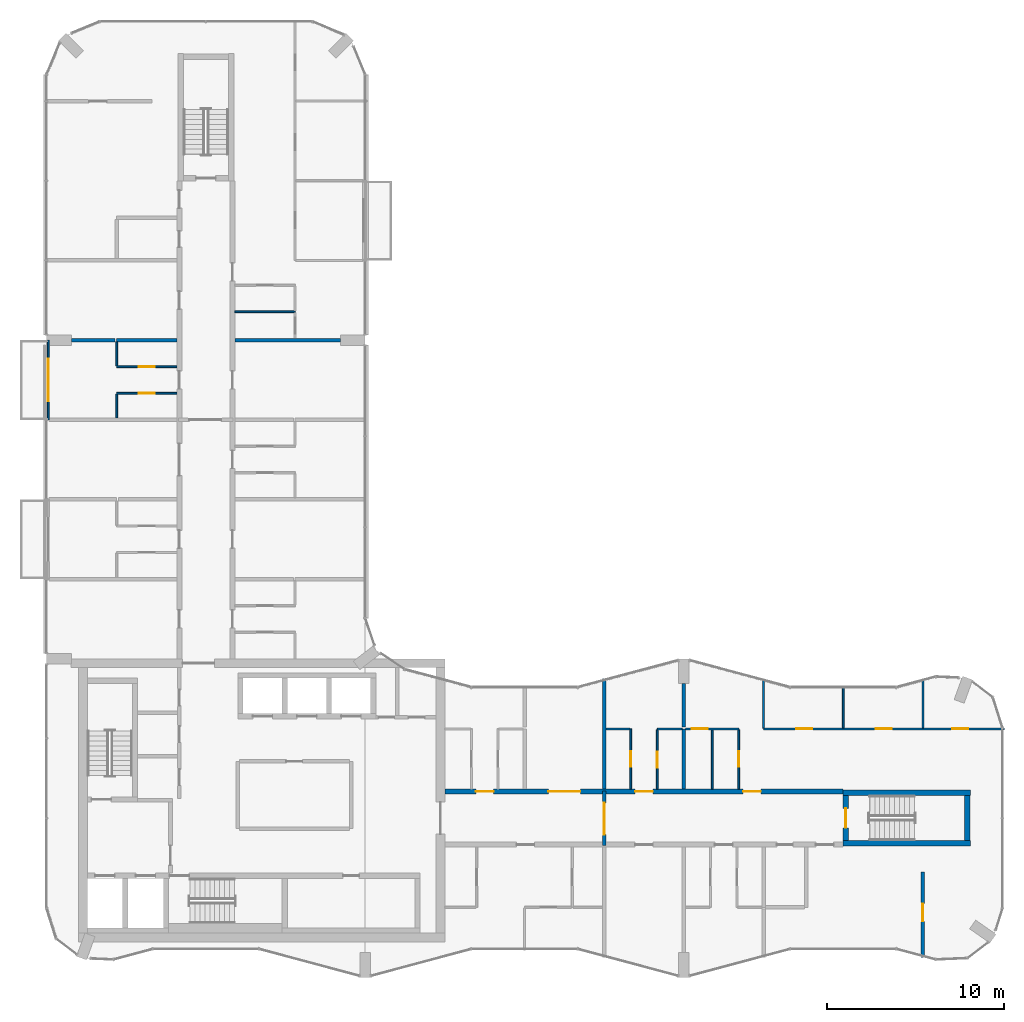
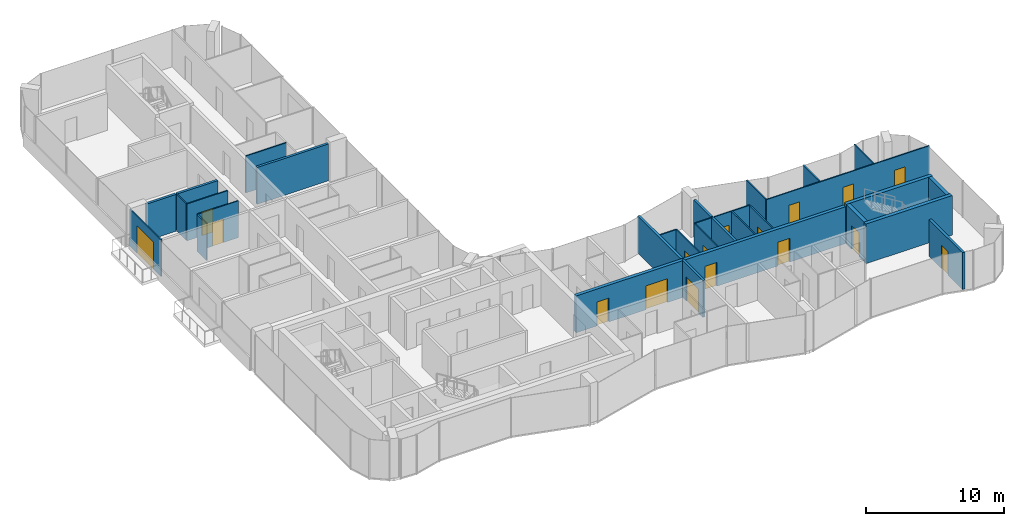
# One storey, part 12 of 16: 30 walls, 17 doors, 17 openings.
"""IFC4 building model written with IfcOpenShell, lengths in metres."""

from ifc_helpers import new_model, si_unit, direction, frame, frame_2d, origin, place, context, subcontext, project, spatial, rectangle, extrude, material, layer, layer_set, type_object, element, fill, save


model = new_model("IFC4")

# Units and contexts
model_context = context("Model", 3, precision=1e-05, world=origin(), true_north=direction((0.0, 1.0)))
body_context = subcontext(model_context, "Body", "Model", "MODEL_VIEW")
ifc_project = project(units=[si_unit("LENGTHUNIT", "METRE"), si_unit("AREAUNIT", "SQUARE_METRE"), si_unit("VOLUMEUNIT", "CUBIC_METRE"), si_unit("PLANEANGLEUNIT", "RADIAN"), si_unit("MASSUNIT", "GRAM", prefix="KILO")], contexts=[model_context])

# Site, building, storey
site_placement = place(None, origin())
site = spatial("IfcSite", under=ifc_project, at=site_placement, CompositionType="ELEMENT")
building_placement = place(site_placement, origin())
building = spatial("IfcBuilding", under=site, at=building_placement, Name="Plateau Cross Towers", CompositionType="ELEMENT")
storey_placement = place(building_placement, frame((0.0, 0.0, 218.89990234375)))
storey = spatial("IfcBuildingStorey", under=building, at=storey_placement, Name="L57", CompositionType="ELEMENT", Elevation=218.89990234375)

# Wall, opening, door
ifc_material_1 = material(Name="Aluminium framed glazing", Category="aluminium")
ifc_layer_1 = layer(ifc_material_1, 0.10009765625)
ifc_layer_set_1 = layer_set([ifc_layer_1], Name="Aluminium framed glazing")
wall_type_1 = type_object("IfcWallType", Name="Balcony screen wall 100", PredefinedType="STANDARD", material=ifc_layer_set_1)
wall_1_placement = place(storey_placement, frame((0.10009765625, 31.5, 0.0), z_axis=(0.0, 0.0, 1.0), x_axis=(0.0, 1.0, 0.0)))
wall_1 = element("IfcWall", 1, at=wall_1_placement, inside=storey, type_object=wall_type_1, Name="Balcony screen wall A-BAL-L57-02", PredefinedType="STANDARD", context=body_context, shape_type="SweptSolid", body=[
    extrude(rectangle(XDim=4.5, YDim=0.10009765625, at=frame_2d((2.25, 0.0))), origin(), (0.0, 0.0, 1.0), 3.25),
])
opening_1_placement = place(wall_1_placement, frame((1.050048828125, 0.0, 0.0)))
opening_1 = element("IfcOpeningElement", 2, at=opening_1_placement, cuts=wall_1, Name="Opening D-B24", PredefinedType="OPENING", context=body_context, shape_type="SweptSolid", body=[
    extrude(rectangle(XDim=2.39990234375, YDim=2.39990234375, at=frame_2d((1.199951171875, 1.199951171875))), frame((0.0, 0.06005859375, 0.0), z_axis=(0.0, -1.0, 0.0), x_axis=(1.0, 0.0, 0.0)), (0.0, 0.0, 1.0), 0.1201171875),
])
ifc_material_2 = material(Name="Aluminium frame, double glazing", Category="aluminium")
door_type_1 = type_object("IfcDoorType", Name="Balcony sliding door 2400", OperationType="NOTDEFINED", PredefinedType="DOOR", material=ifc_material_2)
door_1_placement = place(opening_1_placement, origin())
door_1 = element("IfcDoor", 3, at=door_1_placement, inside=storey, type_object=door_type_1, Name="Balcony door A-BAL-L57-02", OperationType="SINGLE_SWING_LEFT", OverallHeight=2.39990234375, OverallWidth=2.39990234375, PredefinedType="DOOR", context=body_context, shape_type="SweptSolid", body=[
    extrude(rectangle(XDim=2.39990234375, YDim=2.39990234375, at=frame_2d((1.199951171875, 1.199951171875))), frame((0.0, 0.02490234375, 0.0), z_axis=(0.0, -1.0, 0.0), x_axis=(1.0, 0.0, 0.0)), (0.0, 0.0, 1.0), 0.050048828125),
])
fill(opening_1, door_1)

# Wall, openings, doors
ifc_material_3 = material(Name="Concrete C60/75", Category="concrete")
ifc_layer_2 = layer(ifc_material_3, 0.27490234375)
ifc_layer_set_2 = layer_set([ifc_layer_2], Name="Concrete C60/75")
wall_type_2 = type_object("IfcWallType", Name="Corridor wall 275", PredefinedType="SHEAR", material=ifc_layer_set_2)
wall_2_placement = place(storey_placement, frame((22.5, 10.5, 0.0), z_axis=(0.0, 0.0, 1.0), x_axis=(1.0, 0.0, 0.0)))
wall_2 = element("IfcWall", 4, at=wall_2_placement, inside=storey, type_object=wall_type_2, Name="A-cw-S2@L57", PredefinedType="SHEAR", context=body_context, shape_type="SweptSolid", body=[
    extrude(rectangle(XDim=22.5, YDim=0.27490234375, at=frame_2d((11.25, 0.0))), origin(), (0.0, 0.0, 1.0), 3.25),
])
opening_2_placement = place(wall_2_placement, frame((1.75, 0.0, 0.0)))
opening_2 = element("IfcOpeningElement", 5, at=opening_2_placement, cuts=wall_2, Name="Opening 57-06", PredefinedType="OPENING", context=body_context, shape_type="SweptSolid", body=[
    extrude(rectangle(XDim=1.0, YDim=2.10009765625, at=frame_2d((0.5, 1.050048828125))), frame((0.0, 0.1474609375, 0.0), z_axis=(0.0, -1.0, 0.0), x_axis=(1.0, 0.0, 0.0)), (0.0, 0.0, 1.0), 0.294921875),
])
opening_3_placement = place(wall_2_placement, frame((5.85009765625, 0.0, 0.0)))
opening_3 = element("IfcOpeningElement", 6, at=opening_3_placement, cuts=wall_2, Name="Opening 57-07", PredefinedType="OPENING", context=body_context, shape_type="SweptSolid", body=[
    extrude(rectangle(XDim=1.800048828125, YDim=2.10009765625, at=frame_2d((0.89990234375, 1.050048828125))), frame((0.0, 0.1474609375, 0.0), z_axis=(0.0, -1.0, 0.0), x_axis=(1.0, 0.0, 0.0)), (0.0, 0.0, 1.0), 0.294921875),
])
opening_4_placement = place(wall_2_placement, frame((10.75, 0.0, 0.0)))
opening_4 = element("IfcOpeningElement", 7, at=opening_4_placement, cuts=wall_2, Name="Opening 57-08", PredefinedType="OPENING", context=body_context, shape_type="SweptSolid", body=[
    extrude(rectangle(XDim=1.0, YDim=2.10009765625, at=frame_2d((0.5, 1.050048828125))), frame((0.0, 0.1474609375, 0.0), z_axis=(0.0, -1.0, 0.0), x_axis=(1.0, 0.0, 0.0)), (0.0, 0.0, 1.0), 0.294921875),
])
opening_5_placement = place(wall_2_placement, frame((16.85009765625, 0.0, 0.0)))
opening_5 = element("IfcOpeningElement", 8, at=opening_5_placement, cuts=wall_2, Name="Opening 57-09", PredefinedType="OPENING", context=body_context, shape_type="SweptSolid", body=[
    extrude(rectangle(XDim=1.0, YDim=2.10009765625, at=frame_2d((0.5, 1.050048828125))), frame((0.0, 0.1474609375, 0.0), z_axis=(0.0, -1.0, 0.0), x_axis=(1.0, 0.0, 0.0)), (0.0, 0.0, 1.0), 0.294921875),
])
ifc_material_4 = material(Name="Timber, fire-resisting leaf", Category="wood")
door_type_2 = type_object("IfcDoorType", Name="Flat entrance door 1000", OperationType="NOTDEFINED", PredefinedType="DOOR", material=ifc_material_4)
door_2_placement = place(opening_2_placement, origin())
door_2 = element("IfcDoor", 9, at=door_2_placement, inside=storey, type_object=door_type_2, Name="Door 57-06", OperationType="SINGLE_SWING_LEFT", OverallHeight=2.10009765625, OverallWidth=1.0, PredefinedType="DOOR", context=body_context, shape_type="SweptSolid", body=[
    extrude(rectangle(XDim=1.0, YDim=2.10009765625, at=frame_2d((0.5, 1.050048828125))), frame((0.0, 0.02490234375, 0.0), z_axis=(0.0, -1.0, 0.0), x_axis=(1.0, 0.0, 0.0)), (0.0, 0.0, 1.0), 0.050048828125),
])
fill(opening_2, door_2)
door_3_placement = place(opening_4_placement, origin())
door_3 = element("IfcDoor", 10, at=door_3_placement, inside=storey, type_object=door_type_2, Name="Door 57-08", OperationType="SINGLE_SWING_LEFT", OverallHeight=2.10009765625, OverallWidth=1.0, PredefinedType="DOOR", context=body_context, shape_type="SweptSolid", body=[
    extrude(rectangle(XDim=1.0, YDim=2.10009765625, at=frame_2d((0.5, 1.050048828125))), frame((0.0, 0.02490234375, 0.0), z_axis=(0.0, -1.0, 0.0), x_axis=(1.0, 0.0, 0.0)), (0.0, 0.0, 1.0), 0.050048828125),
])
fill(opening_4, door_3)
door_4_placement = place(opening_5_placement, origin())
door_4 = element("IfcDoor", 11, at=door_4_placement, inside=storey, type_object=door_type_2, Name="Door 57-09", OperationType="SINGLE_SWING_RIGHT", OverallHeight=2.10009765625, OverallWidth=1.0, PredefinedType="DOOR", context=body_context, shape_type="SweptSolid", body=[
    extrude(rectangle(XDim=1.0, YDim=2.10009765625, at=frame_2d((0.5, 1.050048828125))), frame((0.0, 0.02490234375, 0.0), z_axis=(0.0, -1.0, 0.0), x_axis=(1.0, 0.0, 0.0)), (0.0, 0.0, 1.0), 0.050048828125),
])
fill(opening_5, door_4)
ifc_material_5 = material(Name="Timber, fire-resisting leaves", Category="wood")
door_type_3 = type_object("IfcDoorType", Name="Flat floor fire door pair 1800", OperationType="NOTDEFINED", PredefinedType="DOOR", material=ifc_material_5)
door_5_placement = place(opening_3_placement, origin())
door_5 = element("IfcDoor", 12, at=door_5_placement, inside=storey, type_object=door_type_3, Name="Door 57-07", OperationType="SINGLE_SWING_LEFT", OverallHeight=2.10009765625, OverallWidth=1.800048828125, PredefinedType="DOOR", context=body_context, shape_type="SweptSolid", body=[
    extrude(rectangle(XDim=1.800048828125, YDim=2.10009765625, at=frame_2d((0.89990234375, 1.050048828125))), frame((0.0, 0.02490234375, 0.0), z_axis=(0.0, -1.0, 0.0), x_axis=(1.0, 0.0, 0.0)), (0.0, 0.0, 1.0), 0.050048828125),
])
fill(opening_3, door_5)

# Walls
ifc_material_6 = material(Name="Gypsum board on steel studs", Category="steel")
ifc_layer_3 = layer(ifc_material_6, 0.10009765625)
ifc_layer_set_3 = layer_set([ifc_layer_3], Name="Gypsum board on steel studs")
wall_type_3 = type_object("IfcWallType", Name="Flat partition 100", PredefinedType="PARTITIONING", material=ifc_layer_set_3)
wall_3_placement = place(storey_placement, frame((32.949951171875, 14.03759765625, 0.0), z_axis=(0.0, 0.0, 1.0), x_axis=(-1.0, 0.0, 0.0)))
element("IfcWall", 13, at=wall_3_placement, inside=storey, type_object=wall_type_3, Name="Partition wall", PredefinedType="PARTITIONING", context=body_context, shape_type="SweptSolid", body=[
    extrude(rectangle(XDim=1.349853515625, YDim=0.10009765625, at=frame_2d((0.6748046875, 0.0))), origin(), (0.0, 0.0, 1.0), 3.25),
])
wall_4_placement = place(storey_placement, frame((35.89990234375, 14.03759765625, 0.0), z_axis=(0.0, 0.0, 1.0), x_axis=(-1.0, 0.0, 0.0)))
element("IfcWall", 14, at=wall_4_placement, inside=storey, type_object=wall_type_3, Name="Partition wall", PredefinedType="PARTITIONING", context=body_context, shape_type="SweptSolid", body=[
    extrude(rectangle(XDim=1.39990234375, YDim=0.10009765625, at=frame_2d((0.699951171875, 0.0))), origin(), (0.0, 0.0, 1.0), 3.25),
])

# Wall, opening, door
wall_5_placement = place(storey_placement, frame((39.10009765625, 14.03759765625, 0.0), z_axis=(0.0, 0.0, 1.0), x_axis=(-1.0, 0.0, 0.0)))
wall_5 = element("IfcWall", 15, at=wall_5_placement, inside=storey, type_object=wall_type_3, Name="Partition wall", PredefinedType="PARTITIONING", context=body_context, shape_type="SweptSolid", body=[
    extrude(rectangle(XDim=3.0, YDim=0.10009765625, at=frame_2d((1.5, 0.0))), origin(), (0.0, 0.0, 1.0), 3.25),
])
opening_6_placement = place(wall_5_placement, frame((1.75, 0.0, 0.0)))
opening_6 = element("IfcOpeningElement", 16, at=opening_6_placement, cuts=wall_5, Name="Opening 57-35", PredefinedType="OPENING", context=body_context, shape_type="SweptSolid", body=[
    extrude(rectangle(XDim=0.89990234375, YDim=2.10009765625, at=frame_2d((0.449951171875, 1.050048828125))), frame((0.0, 0.06005859375, 0.0), z_axis=(0.0, -1.0, 0.0), x_axis=(1.0, 0.0, 0.0)), (0.0, 0.0, 1.0), 0.1201171875),
])
ifc_material_7 = material(Name="Timber leaf", Category="wood")
door_type_4 = type_object("IfcDoorType", Name="Flat room door 900", OperationType="NOTDEFINED", PredefinedType="DOOR", material=ifc_material_7)
door_6_placement = place(opening_6_placement, origin())
door_6 = element("IfcDoor", 17, at=door_6_placement, inside=storey, type_object=door_type_4, Name="Door 57-35", OperationType="SINGLE_SWING_RIGHT", OverallHeight=2.10009765625, OverallWidth=0.89990234375, PredefinedType="DOOR", context=body_context, shape_type="SweptSolid", body=[
    extrude(rectangle(XDim=0.89990234375, YDim=2.10009765625, at=frame_2d((0.449951171875, 1.050048828125))), frame((0.0, 0.02490234375, 0.0), z_axis=(0.0, -1.0, 0.0), x_axis=(1.0, 0.0, 0.0)), (0.0, 0.0, 1.0), 0.050048828125),
])
fill(opening_6, door_6)

# Wall, openings, doors
wall_6_placement = place(storey_placement, frame((40.5, 14.03759765625, 0.0), z_axis=(0.0, 0.0, 1.0), x_axis=(1.0, 0.0, 0.0)))
wall_6 = element("IfcWall", 18, at=wall_6_placement, inside=storey, type_object=wall_type_3, Name="Partition wall", PredefinedType="PARTITIONING", context=body_context, shape_type="SweptSolid", body=[
    extrude(rectangle(XDim=13.580078125, YDim=0.10009765625, at=frame_2d((6.7900390625, 0.0))), origin(), (0.0, 0.0, 1.0), 3.25),
])
opening_7_placement = place(wall_6_placement, frame((1.85009765625, 0.0, 0.0)))
opening_7 = element("IfcOpeningElement", 19, at=opening_7_placement, cuts=wall_6, Name="Opening 57-37", PredefinedType="OPENING", context=body_context, shape_type="SweptSolid", body=[
    extrude(rectangle(XDim=0.89990234375, YDim=2.10009765625, at=frame_2d((0.449951171875, 1.050048828125))), frame((0.0, 0.06005859375, 0.0), z_axis=(0.0, -1.0, 0.0), x_axis=(1.0, 0.0, 0.0)), (0.0, 0.0, 1.0), 0.1201171875),
])
opening_8_placement = place(wall_6_placement, frame((6.35009765625, 0.0, 0.0)))
opening_8 = element("IfcOpeningElement", 20, at=opening_8_placement, cuts=wall_6, Name="Opening 57-38", PredefinedType="OPENING", context=body_context, shape_type="SweptSolid", body=[
    extrude(rectangle(XDim=0.89990234375, YDim=2.10009765625, at=frame_2d((0.449951171875, 1.050048828125))), frame((0.0, 0.06005859375, 0.0), z_axis=(0.0, -1.0, 0.0), x_axis=(1.0, 0.0, 0.0)), (0.0, 0.0, 1.0), 0.1201171875),
])
opening_9_placement = place(wall_6_placement, frame((10.64990234375, 0.0, 0.0)))
opening_9 = element("IfcOpeningElement", 21, at=opening_9_placement, cuts=wall_6, Name="Opening 57-39", PredefinedType="OPENING", context=body_context, shape_type="SweptSolid", body=[
    extrude(rectangle(XDim=0.89990234375, YDim=2.10009765625, at=frame_2d((0.449951171875, 1.050048828125))), frame((0.0, 0.06005859375, 0.0), z_axis=(0.0, -1.0, 0.0), x_axis=(1.0, 0.0, 0.0)), (0.0, 0.0, 1.0), 0.1201171875),
])
door_7_placement = place(opening_7_placement, origin())
door_7 = element("IfcDoor", 22, at=door_7_placement, inside=storey, type_object=door_type_4, Name="Door 57-37", OperationType="SINGLE_SWING_LEFT", OverallHeight=2.10009765625, OverallWidth=0.89990234375, PredefinedType="DOOR", context=body_context, shape_type="SweptSolid", body=[
    extrude(rectangle(XDim=0.89990234375, YDim=2.10009765625, at=frame_2d((0.449951171875, 1.050048828125))), frame((0.0, 0.02490234375, 0.0), z_axis=(0.0, -1.0, 0.0), x_axis=(1.0, 0.0, 0.0)), (0.0, 0.0, 1.0), 0.050048828125),
])
fill(opening_7, door_7)
door_8_placement = place(opening_8_placement, origin())
door_8 = element("IfcDoor", 23, at=door_8_placement, inside=storey, type_object=door_type_4, Name="Door 57-38", OperationType="SINGLE_SWING_RIGHT", OverallHeight=2.10009765625, OverallWidth=0.89990234375, PredefinedType="DOOR", context=body_context, shape_type="SweptSolid", body=[
    extrude(rectangle(XDim=0.89990234375, YDim=2.10009765625, at=frame_2d((0.449951171875, 1.050048828125))), frame((0.0, 0.02490234375, 0.0), z_axis=(0.0, -1.0, 0.0), x_axis=(1.0, 0.0, 0.0)), (0.0, 0.0, 1.0), 0.050048828125),
])
fill(opening_8, door_8)
door_9_placement = place(opening_9_placement, origin())
door_9 = element("IfcDoor", 24, at=door_9_placement, inside=storey, type_object=door_type_4, Name="Door 57-39", OperationType="SINGLE_SWING_RIGHT", OverallHeight=2.10009765625, OverallWidth=0.89990234375, PredefinedType="DOOR", context=body_context, shape_type="SweptSolid", body=[
    extrude(rectangle(XDim=0.89990234375, YDim=2.10009765625, at=frame_2d((0.449951171875, 1.050048828125))), frame((0.0, 0.02490234375, 0.0), z_axis=(0.0, -1.0, 0.0), x_axis=(1.0, 0.0, 0.0)), (0.0, 0.0, 1.0), 0.050048828125),
])
fill(opening_9, door_9)

# Wall, opening, door
wall_7_placement = place(storey_placement, frame((7.362548828125, 33.0, 0.0), z_axis=(0.0, 0.0, 1.0), x_axis=(-1.0, 0.0, 0.0)))
wall_7 = element("IfcWall", 25, at=wall_7_placement, inside=storey, type_object=wall_type_3, Name="Partition wall", PredefinedType="PARTITIONING", context=body_context, shape_type="SweptSolid", body=[
    extrude(rectangle(XDim=3.400146484375, YDim=0.10009765625, at=frame_2d((1.7001953125, 0.0))), origin(), (0.0, 0.0, 1.0), 3.25),
])
opening_10_placement = place(wall_7_placement, frame((1.25, 0.0, 0.0)))
opening_10 = element("IfcOpeningElement", 26, at=opening_10_placement, cuts=wall_7, Name="Opening 57-42", PredefinedType="OPENING", context=body_context, shape_type="SweptSolid", body=[
    extrude(rectangle(XDim=0.89990234375, YDim=2.10009765625, at=frame_2d((0.449951171875, 1.050048828125))), frame((0.0, 0.06005859375, 0.0), z_axis=(0.0, -1.0, 0.0), x_axis=(1.0, 0.0, 0.0)), (0.0, 0.0, 1.0), 0.1201171875),
])
door_10_placement = place(opening_10_placement, origin())
door_10 = element("IfcDoor", 27, at=door_10_placement, inside=storey, type_object=door_type_4, Name="Door 57-42", OperationType="SINGLE_SWING_LEFT", OverallHeight=2.10009765625, OverallWidth=0.89990234375, PredefinedType="DOOR", context=body_context, shape_type="SweptSolid", body=[
    extrude(rectangle(XDim=0.89990234375, YDim=2.10009765625, at=frame_2d((0.449951171875, 1.050048828125))), frame((0.0, 0.02490234375, 0.0), z_axis=(0.0, -1.0, 0.0), x_axis=(1.0, 0.0, 0.0)), (0.0, 0.0, 1.0), 0.050048828125),
])
fill(opening_10, door_10)

wall_8_placement = place(storey_placement, frame((3.96240234375, 34.5, 0.0), z_axis=(0.0, 0.0, 1.0), x_axis=(1.0, 0.0, 0.0)))
wall_8 = element("IfcWall", 28, at=wall_8_placement, inside=storey, type_object=wall_type_3, Name="Partition wall", PredefinedType="PARTITIONING", context=body_context, shape_type="SweptSolid", body=[
    extrude(rectangle(XDim=3.400146484375, YDim=0.10009765625, at=frame_2d((1.7001953125, 0.0))), origin(), (0.0, 0.0, 1.0), 3.25),
])
opening_11_placement = place(wall_8_placement, frame((1.25, 0.0, 0.0)))
opening_11 = element("IfcOpeningElement", 29, at=opening_11_placement, cuts=wall_8, Name="Opening 57-43", PredefinedType="OPENING", context=body_context, shape_type="SweptSolid", body=[
    extrude(rectangle(XDim=0.89990234375, YDim=2.10009765625, at=frame_2d((0.449951171875, 1.050048828125))), frame((0.0, 0.06005859375, 0.0), z_axis=(0.0, -1.0, 0.0), x_axis=(1.0, 0.0, 0.0)), (0.0, 0.0, 1.0), 0.1201171875),
])
door_11_placement = place(opening_11_placement, origin())
door_11 = element("IfcDoor", 30, at=door_11_placement, inside=storey, type_object=door_type_4, Name="Door 57-43", OperationType="SINGLE_SWING_LEFT", OverallHeight=2.10009765625, OverallWidth=0.89990234375, PredefinedType="DOOR", context=body_context, shape_type="SweptSolid", body=[
    extrude(rectangle(XDim=0.89990234375, YDim=2.10009765625, at=frame_2d((0.449951171875, 1.050048828125))), frame((0.0, 0.02490234375, 0.0), z_axis=(0.0, -1.0, 0.0), x_axis=(1.0, 0.0, 0.0)), (0.0, 0.0, 1.0), 0.050048828125),
])
fill(opening_11, door_11)

# Walls
wall_9_placement = place(storey_placement, frame((14.03759765625, 37.60009765625, 0.0), z_axis=(0.0, 0.0, 1.0), x_axis=(-1.0, 0.0, 0.0)))
element("IfcWall", 31, at=wall_9_placement, inside=storey, type_object=wall_type_3, Name="Partition wall", PredefinedType="PARTITIONING", context=body_context, shape_type="SweptSolid", body=[
    extrude(rectangle(XDim=3.400146484375, YDim=0.10009765625, at=frame_2d((1.7001953125, 0.0))), origin(), (0.0, 0.0, 1.0), 3.25),
])
for number, where, z_axis, x_axis, name in (
    (32, (3.96240234375, 32.949951171875, 0.0), (0.0, 0.0, 1.0), (0.0, -1.0, 0.0), "Partition wall"),
    (33, (3.96240234375, 35.89990234375, 0.0), (0.0, 0.0, 1.0), (0.0, -1.0, 0.0), "Partition wall"),
):
    element("IfcWall", number, at=place(storey_placement, frame(where, z_axis=z_axis, x_axis=x_axis)), inside=storey, type_object=wall_type_3, Name=name, PredefinedType="PARTITIONING", context=body_context, shape_type="SweptSolid", body=[
        extrude(rectangle(XDim=1.349853515625, YDim=0.10009765625, at=frame_2d((0.6748046875, 0.0))), origin(), (0.0, 0.0, 1.0), 3.25),
    ])

# Wall, opening, door
wall_10_placement = place(storey_placement, frame((33.0, 10.637451171875, 0.0), z_axis=(0.0, 0.0, 1.0), x_axis=(0.0, 1.0, 0.0)))
wall_10 = element("IfcWall", 34, at=wall_10_placement, inside=storey, type_object=wall_type_3, Name="Partition wall", PredefinedType="PARTITIONING", context=body_context, shape_type="SweptSolid", body=[
    extrude(rectangle(XDim=3.400146484375, YDim=0.10009765625, at=frame_2d((1.7001953125, 0.0))), origin(), (0.0, 0.0, 1.0), 3.25),
])
opening_12_placement = place(wall_10_placement, frame((1.25, 0.0, 0.0)))
opening_12 = element("IfcOpeningElement", 35, at=opening_12_placement, cuts=wall_10, Name="Opening 57-33", PredefinedType="OPENING", context=body_context, shape_type="SweptSolid", body=[
    extrude(rectangle(XDim=0.89990234375, YDim=2.10009765625, at=frame_2d((0.449951171875, 1.050048828125))), frame((0.0, 0.06005859375, 0.0), z_axis=(0.0, -1.0, 0.0), x_axis=(1.0, 0.0, 0.0)), (0.0, 0.0, 1.0), 0.1201171875),
])
door_12_placement = place(opening_12_placement, origin())
door_12 = element("IfcDoor", 36, at=door_12_placement, inside=storey, type_object=door_type_4, Name="Door 57-33", OperationType="SINGLE_SWING_LEFT", OverallHeight=2.10009765625, OverallWidth=0.89990234375, PredefinedType="DOOR", context=body_context, shape_type="SweptSolid", body=[
    extrude(rectangle(XDim=0.89990234375, YDim=2.10009765625, at=frame_2d((0.449951171875, 1.050048828125))), frame((0.0, 0.02490234375, 0.0), z_axis=(0.0, -1.0, 0.0), x_axis=(1.0, 0.0, 0.0)), (0.0, 0.0, 1.0), 0.050048828125),
])
fill(opening_12, door_12)

wall_11_placement = place(storey_placement, frame((34.5, 13.987548828125, 0.0), z_axis=(0.0, 0.0, 1.0), x_axis=(0.0, -1.0, 0.0)))
wall_11 = element("IfcWall", 37, at=wall_11_placement, inside=storey, type_object=wall_type_3, Name="Partition wall", PredefinedType="PARTITIONING", context=body_context, shape_type="SweptSolid", body=[
    extrude(rectangle(XDim=3.35009765625, YDim=0.10009765625, at=frame_2d((1.675048828125, 0.0))), origin(), (0.0, 0.0, 1.0), 3.25),
])
opening_13_placement = place(wall_11_placement, frame((1.25, 0.0, 0.0)))
opening_13 = element("IfcOpeningElement", 38, at=opening_13_placement, cuts=wall_11, Name="Opening 57-34", PredefinedType="OPENING", context=body_context, shape_type="SweptSolid", body=[
    extrude(rectangle(XDim=0.89990234375, YDim=2.10009765625, at=frame_2d((0.449951171875, 1.050048828125))), frame((0.0, 0.06005859375, 0.0), z_axis=(0.0, -1.0, 0.0), x_axis=(1.0, 0.0, 0.0)), (0.0, 0.0, 1.0), 0.1201171875),
])
door_13_placement = place(opening_13_placement, origin())
door_13 = element("IfcDoor", 39, at=door_13_placement, inside=storey, type_object=door_type_4, Name="Door 57-34", OperationType="SINGLE_SWING_RIGHT", OverallHeight=2.10009765625, OverallWidth=0.89990234375, PredefinedType="DOOR", context=body_context, shape_type="SweptSolid", body=[
    extrude(rectangle(XDim=0.89990234375, YDim=2.10009765625, at=frame_2d((0.449951171875, 1.050048828125))), frame((0.0, 0.02490234375, 0.0), z_axis=(0.0, -1.0, 0.0), x_axis=(1.0, 0.0, 0.0)), (0.0, 0.0, 1.0), 0.050048828125),
])
fill(opening_13, door_13)

# Wall
wall_12_placement = place(storey_placement, frame((37.60009765625, 10.637451171875, 0.0), z_axis=(0.0, 0.0, 1.0), x_axis=(0.0, 1.0, 0.0)))
element("IfcWall", 40, at=wall_12_placement, inside=storey, type_object=wall_type_3, Name="Partition wall", PredefinedType="PARTITIONING", context=body_context, shape_type="SweptSolid", body=[
    extrude(rectangle(XDim=3.35009765625, YDim=0.10009765625, at=frame_2d((1.675048828125, 0.0))), origin(), (0.0, 0.0, 1.0), 3.25),
])

# Wall, opening, door
wall_13_placement = place(storey_placement, frame((39.10009765625, 10.637451171875, 0.0), z_axis=(0.0, 0.0, 1.0), x_axis=(0.0, 1.0, 0.0)))
wall_13 = element("IfcWall", 41, at=wall_13_placement, inside=storey, type_object=wall_type_3, Name="Partition wall", PredefinedType="PARTITIONING", context=body_context, shape_type="SweptSolid", body=[
    extrude(rectangle(XDim=3.35009765625, YDim=0.10009765625, at=frame_2d((1.675048828125, 0.0))), origin(), (0.0, 0.0, 1.0), 3.25),
])
opening_14_placement = place(wall_13_placement, frame((1.25, 0.0, 0.0)))
opening_14 = element("IfcOpeningElement", 42, at=opening_14_placement, cuts=wall_13, Name="Opening 57-36", PredefinedType="OPENING", context=body_context, shape_type="SweptSolid", body=[
    extrude(rectangle(XDim=0.89990234375, YDim=2.10009765625, at=frame_2d((0.449951171875, 1.050048828125))), frame((0.0, 0.06005859375, 0.0), z_axis=(0.0, -1.0, 0.0), x_axis=(1.0, 0.0, 0.0)), (0.0, 0.0, 1.0), 0.1201171875),
])
door_14_placement = place(opening_14_placement, origin())
door_14 = element("IfcDoor", 43, at=door_14_placement, inside=storey, type_object=door_type_4, Name="Door 57-36", OperationType="SINGLE_SWING_RIGHT", OverallHeight=2.10009765625, OverallWidth=0.89990234375, PredefinedType="DOOR", context=body_context, shape_type="SweptSolid", body=[
    extrude(rectangle(XDim=0.89990234375, YDim=2.10009765625, at=frame_2d((0.449951171875, 1.050048828125))), frame((0.0, 0.02490234375, 0.0), z_axis=(0.0, -1.0, 0.0), x_axis=(1.0, 0.0, 0.0)), (0.0, 0.0, 1.0), 0.050048828125),
])
fill(opening_14, door_14)

# Walls
wall_14_placement = place(storey_placement, frame((40.5, 16.877685546875, 0.0), z_axis=(0.0, 0.0, 1.0), x_axis=(0.0, -1.0, 0.0)))
element("IfcWall", 44, at=wall_14_placement, inside=storey, type_object=wall_type_3, Name="Partition wall", PredefinedType="PARTITIONING", context=body_context, shape_type="SweptSolid", body=[
    extrude(rectangle(XDim=2.790283203125, YDim=0.10009765625, at=frame_2d((1.39501953125, 0.0))), origin(), (0.0, 0.0, 1.0), 3.25),
])
wall_15_placement = place(storey_placement, frame((45.0, 14.08740234375, 0.0), z_axis=(0.0, 0.0, 1.0), x_axis=(0.0, 1.0, 0.0)))
element("IfcWall", 45, at=wall_15_placement, inside=storey, type_object=wall_type_3, Name="Partition wall", PredefinedType="PARTITIONING", context=body_context, shape_type="SweptSolid", body=[
    extrude(rectangle(XDim=2.3857421875, YDim=0.10009765625, at=frame_2d((1.19287109375, 0.0))), origin(), (0.0, 0.0, 1.0), 3.25),
])
wall_16_placement = place(storey_placement, frame((49.5, 14.08740234375, 0.0), z_axis=(0.0, 0.0, 1.0), x_axis=(0.0, 1.0, 0.0)))
element("IfcWall", 46, at=wall_16_placement, inside=storey, type_object=wall_type_3, Name="Partition wall", PredefinedType="PARTITIONING", context=body_context, shape_type="SweptSolid", body=[
    extrude(rectangle(XDim=2.790283203125, YDim=0.10009765625, at=frame_2d((1.39501953125, 0.0))), origin(), (0.0, 0.0, 1.0), 3.25),
])
ifc_material_8 = material(Name="Gypsum board on steel studs, two layers each side", Category="steel")
ifc_layer_4 = layer(ifc_material_8, 0.199951171875)
ifc_layer_set_4 = layer_set([ifc_layer_4], Name="Gypsum board on steel studs, two layers each side")
wall_type_4 = type_object("IfcWallType", Name="Flat party wall 200", PredefinedType="PARTITIONING", material=ifc_layer_set_4)
wall_17_placement = place(storey_placement, frame((7.362548828125, 36.0, 0.0), z_axis=(0.0, 0.0, 1.0), x_axis=(-1.0, 0.0, 0.0)))
element("IfcWall", 47, at=wall_17_placement, inside=storey, type_object=wall_type_4, Name="Party wall", PredefinedType="PARTITIONING", context=body_context, shape_type="SweptSolid", body=[
    extrude(rectangle(XDim=3.400146484375, YDim=0.199951171875, at=frame_2d((1.7001953125, 0.0))), origin(), (0.0, 0.0, 1.0), 3.25),
])
wall_18_placement = place(storey_placement, frame((16.60009765625, 36.0, 0.0), z_axis=(0.0, 0.0, 1.0), x_axis=(-1.0, 0.0, 0.0)))
element("IfcWall", 48, at=wall_18_placement, inside=storey, type_object=wall_type_4, Name="Party wall", PredefinedType="PARTITIONING", context=body_context, shape_type="SweptSolid", body=[
    extrude(rectangle(XDim=5.962646484375, YDim=0.199951171875, at=frame_2d((2.9814453125, 0.0))), origin(), (0.0, 0.0, 1.0), 3.25),
])
wall_19_placement = place(storey_placement, frame((1.39990234375, 36.0, 0.0), z_axis=(0.0, 0.0, 1.0), x_axis=(1.0, 0.0, 0.0)))
element("IfcWall", 49, at=wall_19_placement, inside=storey, type_object=wall_type_4, Name="Party wall", PredefinedType="PARTITIONING", context=body_context, shape_type="SweptSolid", body=[
    extrude(rectangle(XDim=2.462646484375, YDim=0.199951171875, at=frame_2d((1.2314453125, 0.0))), origin(), (0.0, 0.0, 1.0), 3.25),
])
wall_20_placement = place(storey_placement, frame((31.5, 10.637451171875, 0.0), z_axis=(0.0, 0.0, 1.0), x_axis=(0.0, 1.0, 0.0)))
element("IfcWall", 50, at=wall_20_placement, inside=storey, type_object=wall_type_4, Name="Party wall", PredefinedType="PARTITIONING", context=body_context, shape_type="SweptSolid", body=[
    extrude(rectangle(XDim=6.240234375, YDim=0.199951171875, at=frame_2d((3.1201171875, 0.0))), origin(), (0.0, 0.0, 1.0), 3.25),
])
wall_21_placement = place(storey_placement, frame((36.0, 16.60009765625, 0.0), z_axis=(0.0, 0.0, 1.0), x_axis=(0.0, -1.0, 0.0)))
element("IfcWall", 51, at=wall_21_placement, inside=storey, type_object=wall_type_4, Name="Party wall", PredefinedType="PARTITIONING", context=body_context, shape_type="SweptSolid", body=[
    extrude(rectangle(XDim=2.462646484375, YDim=0.199951171875, at=frame_2d((1.2314453125, 0.0))), origin(), (0.0, 0.0, 1.0), 3.25),
])
wall_22_placement = place(storey_placement, frame((36.0, 10.637451171875, 0.0), z_axis=(0.0, 0.0, 1.0), x_axis=(0.0, 1.0, 0.0)))
element("IfcWall", 52, at=wall_22_placement, inside=storey, type_object=wall_type_4, Name="Party wall", PredefinedType="PARTITIONING", context=body_context, shape_type="SweptSolid", body=[
    extrude(rectangle(XDim=3.400146484375, YDim=0.199951171875, at=frame_2d((1.7001953125, 0.0))), origin(), (0.0, 0.0, 1.0), 3.25),
])

# Wall, opening, door
wall_23_placement = place(storey_placement, frame((49.5, 1.122314453125, 0.0), z_axis=(0.0, 0.0, 1.0), x_axis=(0.0, 1.0, 0.0)))
wall_23 = element("IfcWall", 53, at=wall_23_placement, inside=storey, type_object=wall_type_4, Name="Party wall", PredefinedType="PARTITIONING", context=body_context, shape_type="SweptSolid", body=[
    extrude(rectangle(XDim=4.82763671875, YDim=0.199951171875, at=frame_2d((2.413818359375, 0.0))), origin(), (0.0, 0.0, 1.0), 3.25),
])
opening_15_placement = place(wall_23_placement, frame((2.050048828125, 0.0, 0.0)))
opening_15 = element("IfcOpeningElement", 54, at=opening_15_placement, cuts=wall_23, Name="Opening 57-24", PredefinedType="OPENING", context=body_context, shape_type="SweptSolid", body=[
    extrude(rectangle(XDim=1.0, YDim=2.10009765625, at=frame_2d((0.5, 1.050048828125))), frame((0.0, 0.10986328125, 0.0), z_axis=(0.0, -1.0, 0.0), x_axis=(1.0, 0.0, 0.0)), (0.0, 0.0, 1.0), 0.219970703125),
])
door_15_placement = place(opening_15_placement, origin())
door_15 = element("IfcDoor", 55, at=door_15_placement, inside=storey, type_object=door_type_2, Name="Door 57-24", OperationType="SINGLE_SWING_RIGHT", OverallHeight=2.10009765625, OverallWidth=1.0, PredefinedType="DOOR", context=body_context, shape_type="SweptSolid", body=[
    extrude(rectangle(XDim=1.0, YDim=2.10009765625, at=frame_2d((0.5, 1.050048828125))), frame((0.0, 0.02490234375, 0.0), z_axis=(0.0, -1.0, 0.0), x_axis=(1.0, 0.0, 0.0)), (0.0, 0.0, 1.0), 0.050048828125),
])
fill(opening_15, door_15)

wall_24_placement = place(storey_placement, frame((31.5, 7.46240234375, 0.0), z_axis=(0.0, 0.0, 1.0), x_axis=(0.0, 1.0, 0.0)))
wall_24 = element("IfcWall", 56, at=wall_24_placement, inside=storey, type_object=wall_type_4, Name="Party wall", PredefinedType="PARTITIONING", context=body_context, shape_type="SweptSolid", body=[
    extrude(rectangle(XDim=3.0751953125, YDim=0.199951171875, at=frame_2d((1.53759765625, 0.0))), origin(), (0.0, 0.0, 1.0), 3.25),
])
opening_16_placement = place(wall_24_placement, frame((0.60009765625, 0.0, 0.0)))
opening_16 = element("IfcOpeningElement", 57, at=opening_16_placement, cuts=wall_24, Name="Opening 57-22", PredefinedType="OPENING", context=body_context, shape_type="SweptSolid", body=[
    extrude(rectangle(XDim=1.800048828125, YDim=2.10009765625, at=frame_2d((0.89990234375, 1.050048828125))), frame((0.0, 0.10986328125, 0.0), z_axis=(0.0, -1.0, 0.0), x_axis=(1.0, 0.0, 0.0)), (0.0, 0.0, 1.0), 0.219970703125),
])
door_16_placement = place(opening_16_placement, origin())
door_16 = element("IfcDoor", 58, at=door_16_placement, inside=storey, type_object=door_type_3, Name="Door 57-22", OperationType="SINGLE_SWING_LEFT", OverallHeight=2.10009765625, OverallWidth=1.800048828125, PredefinedType="DOOR", context=body_context, shape_type="SweptSolid", body=[
    extrude(rectangle(XDim=1.800048828125, YDim=2.10009765625, at=frame_2d((0.89990234375, 1.050048828125))), frame((0.0, 0.02490234375, 0.0), z_axis=(0.0, -1.0, 0.0), x_axis=(1.0, 0.0, 0.0)), (0.0, 0.0, 1.0), 0.050048828125),
])
fill(opening_16, door_16)

ifc_layer_5 = layer(ifc_material_3, 0.300048828125)
ifc_layer_set_5 = layer_set([ifc_layer_5], Name="Concrete C60/75")
wall_type_5 = type_object("IfcWallType", Name="Stair tower wall 300", PredefinedType="SHEAR", material=ifc_layer_set_5)
wall_25_placement = place(storey_placement, frame((45.14990234375, 7.72509765625, 0.0), z_axis=(0.0, 0.0, 1.0), x_axis=(0.0, 1.0, 0.0)))
wall_25 = element("IfcWall", 59, at=wall_25_placement, inside=storey, type_object=wall_type_5, Name="A-end-E-W@L57", PredefinedType="SHEAR", context=body_context, shape_type="SweptSolid", body=[
    extrude(rectangle(XDim=2.5498046875, YDim=0.300048828125, at=frame_2d((1.27490234375, 0.0))), origin(), (0.0, 0.0, 1.0), 3.5),
])
opening_17_placement = place(wall_25_placement, frame((0.72509765625, 0.0, 0.0)))
opening_17 = element("IfcOpeningElement", 60, at=opening_17_placement, cuts=wall_25, Name="Opening SD", PredefinedType="OPENING", context=body_context, shape_type="SweptSolid", body=[
    extrude(rectangle(XDim=1.10009765625, YDim=2.10009765625, at=frame_2d((0.550048828125, 1.050048828125))), frame((0.0, 0.159912109375, 0.0), z_axis=(0.0, -1.0, 0.0), x_axis=(1.0, 0.0, 0.0)), (0.0, 0.0, 1.0), 0.320068359375),
])
ifc_material_9 = material(Name="Steel, fire-resisting leaf", Category="steel")
door_type_5 = type_object("IfcDoorType", Name="Stair door 1100", OperationType="NOTDEFINED", PredefinedType="DOOR", material=ifc_material_9)
door_17_placement = place(opening_17_placement, origin())
door_17 = element("IfcDoor", 61, at=door_17_placement, inside=storey, type_object=door_type_5, Name="Stair door SD", OperationType="SINGLE_SWING_LEFT", OverallHeight=2.10009765625, OverallWidth=1.10009765625, PredefinedType="DOOR", context=body_context, shape_type="SweptSolid", body=[
    extrude(rectangle(XDim=1.10009765625, YDim=2.10009765625, at=frame_2d((0.550048828125, 1.050048828125))), frame((0.0, 0.02490234375, 0.0), z_axis=(0.0, -1.0, 0.0), x_axis=(1.0, 0.0, 0.0)), (0.0, 0.0, 1.0), 0.050048828125),
])
fill(opening_17, door_17)

# Walls
wall_26_placement = place(storey_placement, frame((52.0, 7.72509765625, 0.0), z_axis=(0.0, 0.0, 1.0), x_axis=(0.0, 1.0, 0.0)))
element("IfcWall", 62, at=wall_26_placement, inside=storey, type_object=wall_type_5, Name="A-end-E-E@L57", PredefinedType="SHEAR", context=body_context, shape_type="SweptSolid", body=[
    extrude(rectangle(XDim=2.5498046875, YDim=0.300048828125, at=frame_2d((1.27490234375, 0.0))), origin(), (0.0, 0.0, 1.0), 3.5),
])
for number, where, z_axis, x_axis, name in (
    (63, (45.0, 7.574951171875, 0.0), (0.0, 0.0, 1.0), (1.0, 0.0, 0.0), "A-end-E-S@L57"),
    (64, (45.0, 10.425048828125, 0.0), (0.0, 0.0, 1.0), (1.0, 0.0, 0.0), "A-end-E-N@L57"),
):
    element("IfcWall", number, at=place(storey_placement, frame(where, z_axis=z_axis, x_axis=x_axis)), inside=storey, type_object=wall_type_5, Name=name, PredefinedType="SHEAR", context=body_context, shape_type="SweptSolid", body=[
        extrude(rectangle(XDim=7.199951171875, YDim=0.300048828125, at=frame_2d((3.60009765625, 0.0))), origin(), (0.0, 0.0, 1.0), 3.5),
    ])

save(model, "model.ifc")
